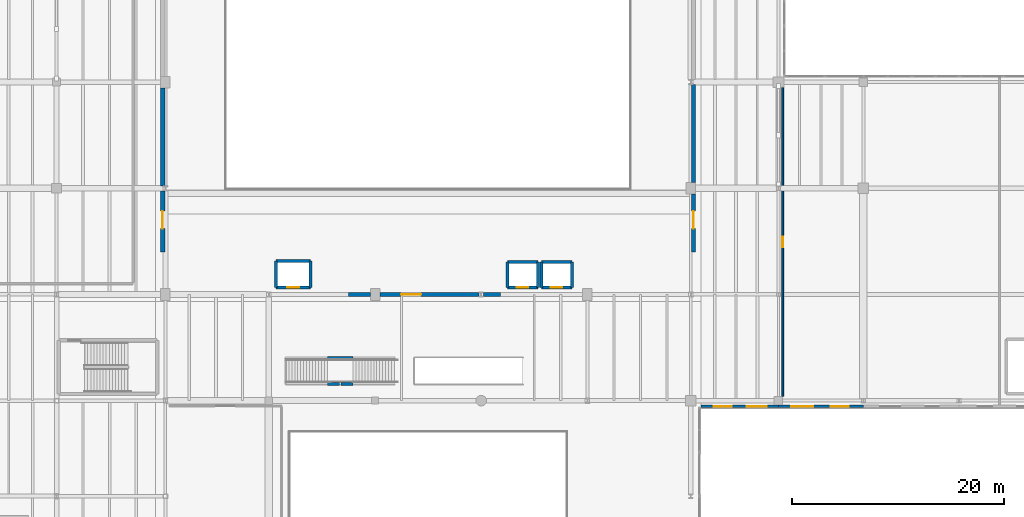
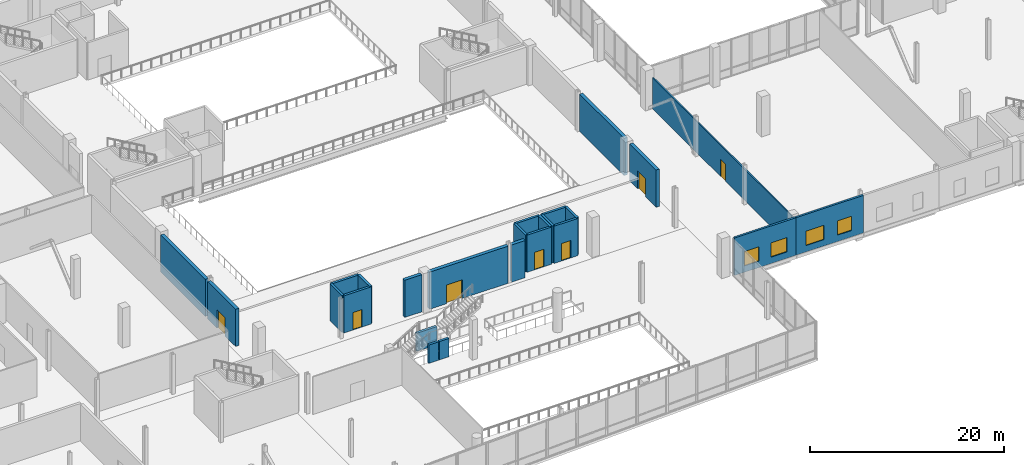
# One storey, part 55 of 73: 25 walls, 7 doors, 4 windows, 11 openings.
"""IFC4 building model written with IfcOpenShell, lengths in metres."""

from ifc_helpers import new_model, si_unit, direction, frame, frame_2d, origin, place, context, subcontext, project, spatial, rectangle, extrude, material, layer, layer_set, type_object, element, fill, save


model = new_model("IFC4")

# Units and contexts
model_context = context("Model", 3, precision=1e-05, world=origin(), true_north=direction((0.0, 1.0)))
body_context = subcontext(model_context, "Body", "Model", "MODEL_VIEW")
ifc_project = project(units=[si_unit("LENGTHUNIT", "METRE"), si_unit("AREAUNIT", "SQUARE_METRE"), si_unit("VOLUMEUNIT", "CUBIC_METRE"), si_unit("PLANEANGLEUNIT", "RADIAN"), si_unit("MASSUNIT", "GRAM", prefix="KILO")], contexts=[model_context])

# Site, building, storey
site_placement = place(None, origin())
site = spatial("IfcSite", under=ifc_project, at=site_placement, CompositionType="ELEMENT")
building_placement = place(site_placement, origin())
building = spatial("IfcBuilding", under=site, at=building_placement, Name="Trimount Lyric Opera House", CompositionType="ELEMENT")
storey_placement = place(building_placement, frame((0.0, 0.0, 10.0)))
storey = spatial("IfcBuildingStorey", under=building, at=storey_placement, Name="L02", CompositionType="ELEMENT", Elevation=10.0)

# Wall, opening, door
ifc_material_1 = material(Name="Fire-Rated Gypsum Board Partition")
ifc_layer_1 = layer(ifc_material_1, 0.14990234375)
ifc_layer_set_1 = layer_set([ifc_layer_1], Name="WL-PT150")
wall_type_1 = type_object("IfcWallType", Name="WL-PT150", PredefinedType="PARTITIONING", material=ifc_layer_set_1)
wall_1_placement = place(storey_placement, frame((122.39990234375, 73.5, 0.0), z_axis=(0.0, 0.0, 1.0), x_axis=(0.0, -1.0, 0.0)))
wall_1 = element("IfcWall", 1, at=wall_1_placement, inside=storey, type_object=wall_type_1, Name="L02 Costume Cutting & Draping Atelier W partition", PredefinedType="PARTITIONING", context=body_context, shape_type="SweptSolid", body=[
    extrude(rectangle(XDim=29.10009765625, YDim=0.14990234375, at=frame_2d((14.550048828125, 0.0))), origin(), (0.0, 0.0, 1.0), 3.919921875),
])
opening_1_placement = place(wall_1_placement, frame((14.050048828125, 0.0, 0.0)))
opening_1 = element("IfcOpeningElement", 2, at=opening_1_placement, cuts=wall_1, Name="Opening DT-RM1", PredefinedType="OPENING", context=body_context, shape_type="SweptSolid", body=[
    extrude(rectangle(XDim=1.0, YDim=2.14990234375, at=frame_2d((0.5, 1.074951171875))), frame((0.0, 0.0849609375, 0.0), z_axis=(0.0, -1.0, 0.0), x_axis=(1.0, 0.0, 0.0)), (0.0, 0.0, 1.0), 0.169921875),
])
ifc_material_2 = material(Name="Solid Core White Oak")
door_type_1 = type_object("IfcDoorType", Name="DT-RM1", OperationType="NOTDEFINED", PredefinedType="DOOR", material=ifc_material_2)
door_1_placement = place(opening_1_placement, origin())
door_1 = element("IfcDoor", 3, at=door_1_placement, inside=storey, type_object=door_type_1, Name="D-218", OperationType="SINGLE_SWING_RIGHT", OverallHeight=2.14990234375, OverallWidth=1.0, PredefinedType="DOOR", context=body_context, shape_type="SweptSolid", body=[
    extrude(rectangle(XDim=1.0, YDim=2.14990234375, at=frame_2d((0.5, 1.074951171875))), frame((0.0, 0.02490234375, 0.0), z_axis=(0.0, -1.0, 0.0), x_axis=(1.0, 0.0, 0.0)), (0.0, 0.0, 1.0), 0.050048828125),
])
fill(opening_1, door_1)

# Walls
ifc_material_3 = material(Name="Concrete C40/50", Category="concrete")
ifc_layer_2 = layer(ifc_material_3, 0.280029296875)
ifc_layer_set_2 = layer_set([ifc_layer_2], Name="WL-SH280")
wall_type_2 = type_object("IfcWallType", Name="WL-SH280", PredefinedType="SHEAR", material=ifc_layer_set_2)
for number, where, z_axis, x_axis, name in (
    (4, (79.52001953125, 45.56494140625, 0.0), (0.0, 0.0, 1.0), (1.0, 0.0, 0.0), "Concourse Roof-Garden Gallery Stair L02 landing fin pier SL"),
    (5, (80.780029296875, 45.56494140625, 0.0), (0.0, 0.0, 1.0), (1.0, 0.0, 0.0), "Concourse Roof-Garden Gallery Stair L02 landing fin pier SR"),
):
    element("IfcWall", number, at=place(storey_placement, frame(where, z_axis=z_axis, x_axis=x_axis)), inside=storey, type_object=wall_type_2, Name=name, PredefinedType="SHEAR", context=body_context, shape_type="SweptSolid", body=[
        extrude(rectangle(XDim=1.139892578125, YDim=0.280029296875, at=frame_2d((0.56982421875, 0.0))), origin(), (0.0, 0.0, 1.0), 2.300048828125),
    ])
wall_2_placement = place(storey_placement, frame((79.52001953125, 48.034912109375, 0.0), z_axis=(0.0, 0.0, 1.0), x_axis=(1.0, 0.0, 0.0)))
element("IfcWall", 6, at=wall_2_placement, inside=storey, type_object=wall_type_2, Name="Concourse Roof-Garden Gallery Stair L02 landing fin pier N", PredefinedType="SHEAR", context=body_context, shape_type="SweptSolid", body=[
    extrude(rectangle(XDim=2.39990234375, YDim=0.280029296875, at=frame_2d((1.199951171875, 0.0))), origin(), (0.0, 0.0, 1.0), 2.300048828125),
])

# Wall, opening, door
wall_3_placement = place(storey_placement, frame((74.659912109375, 54.659912109375, 0.0), z_axis=(0.0, 0.0, 1.0), x_axis=(1.0, 0.0, 0.0)))
wall_3 = element("IfcWall", 7, at=wall_3_placement, inside=storey, type_object=wall_type_2, Name="Lift LF-02 L02 south shaft wall", PredefinedType="SHEAR", context=body_context, shape_type="SweptSolid", body=[
    extrude(rectangle(XDim=3.280029296875, YDim=0.280029296875, at=frame_2d((1.64013671875, 0.0))), origin(), (0.0, 0.0, 1.0), 4.675048828125),
])
opening_2_placement = place(wall_3_placement, frame((1.090087890625, 0.0, 0.0)))
opening_2 = element("IfcOpeningElement", 8, at=opening_2_placement, cuts=wall_3, Name="Opening DT-LD1", PredefinedType="OPENING", context=body_context, shape_type="SweptSolid", body=[
    extrude(rectangle(XDim=1.10009765625, YDim=2.199951171875, at=frame_2d((0.550048828125, 1.10009765625))), frame((0.0, 0.14990234375, 0.0), z_axis=(0.0, -1.0, 0.0), x_axis=(1.0, 0.0, 0.0)), (0.0, 0.0, 1.0), 0.300048828125),
])
ifc_material_4 = material(Name="Brushed Stainless Steel", Category="steel")
door_type_2 = type_object("IfcDoorType", Name="DT-LD1", OperationType="SLIDING_TO_LEFT", PredefinedType="DOOR", material=ifc_material_4)
door_2_placement = place(opening_2_placement, origin())
door_2 = element("IfcDoor", 9, at=door_2_placement, inside=storey, type_object=door_type_2, Name="D-076", OperationType="SLIDING_TO_LEFT", OverallHeight=2.199951171875, OverallWidth=1.10009765625, PredefinedType="DOOR", context=body_context, shape_type="SweptSolid", body=[
    extrude(rectangle(XDim=1.10009765625, YDim=2.199951171875, at=frame_2d((0.550048828125, 1.10009765625))), frame((0.0, 0.02490234375, 0.0), z_axis=(0.0, -1.0, 0.0), x_axis=(1.0, 0.0, 0.0)), (0.0, 0.0, 1.0), 0.050048828125),
])
fill(opening_2, door_2)

# Walls
wall_4_placement = place(storey_placement, frame((77.93994140625, 57.139892578125, 0.0), z_axis=(0.0, 0.0, 1.0), x_axis=(-1.0, 0.0, 0.0)))
element("IfcWall", 10, at=wall_4_placement, inside=storey, type_object=wall_type_2, Name="Lift LF-02 L02 north shaft wall", PredefinedType="SHEAR", context=body_context, shape_type="SweptSolid", body=[
    extrude(rectangle(XDim=3.280029296875, YDim=0.280029296875, at=frame_2d((1.64013671875, 0.0))), origin(), (0.0, 0.0, 1.0), 4.675048828125),
])
for number, where, z_axis, x_axis, name in (
    (11, (74.659912109375, 57.139892578125, 0.0), (0.0, 0.0, 1.0), (0.0, -1.0, 0.0), "Lift LF-02 L02 west shaft wall"),
    (12, (77.93994140625, 54.659912109375, 0.0), (0.0, 0.0, 1.0), (0.0, 1.0, 0.0), "Lift LF-02 L02 east shaft wall"),
):
    element("IfcWall", number, at=place(storey_placement, frame(where, z_axis=z_axis, x_axis=x_axis)), inside=storey, type_object=wall_type_2, Name=name, PredefinedType="SHEAR", context=body_context, shape_type="SweptSolid", body=[
        extrude(rectangle(XDim=2.47998046875, YDim=0.280029296875, at=frame_2d((1.239990234375, 0.0))), origin(), (0.0, 0.0, 1.0), 4.675048828125),
    ])

# Wall, opening, door
wall_5_placement = place(storey_placement, frame((96.4599609375, 54.659912109375, 0.0), z_axis=(0.0, 0.0, 1.0), x_axis=(1.0, 0.0, 0.0)))
wall_5 = element("IfcWall", 13, at=wall_5_placement, inside=storey, type_object=wall_type_2, Name="Lift LF-03 L02 south shaft wall", PredefinedType="SHEAR", context=body_context, shape_type="SweptSolid", body=[
    extrude(rectangle(XDim=2.880126953125, YDim=0.280029296875, at=frame_2d((1.43994140625, 0.0))), origin(), (0.0, 0.0, 1.0), 4.675048828125),
])
opening_3_placement = place(wall_5_placement, frame((0.889892578125, 0.0, 0.0)))
opening_3 = element("IfcOpeningElement", 14, at=opening_3_placement, cuts=wall_5, Name="Opening DT-LD1", PredefinedType="OPENING", context=body_context, shape_type="SweptSolid", body=[
    extrude(rectangle(XDim=1.10009765625, YDim=2.199951171875, at=frame_2d((0.550048828125, 1.10009765625))), frame((0.0, 0.14990234375, 0.0), z_axis=(0.0, -1.0, 0.0), x_axis=(1.0, 0.0, 0.0)), (0.0, 0.0, 1.0), 0.300048828125),
])
door_3_placement = place(opening_3_placement, origin())
door_3 = element("IfcDoor", 15, at=door_3_placement, inside=storey, type_object=door_type_2, Name="D-082", OperationType="SLIDING_TO_LEFT", OverallHeight=2.199951171875, OverallWidth=1.10009765625, PredefinedType="DOOR", context=body_context, shape_type="SweptSolid", body=[
    extrude(rectangle(XDim=1.10009765625, YDim=2.199951171875, at=frame_2d((0.550048828125, 1.10009765625))), frame((0.0, 0.02490234375, 0.0), z_axis=(0.0, -1.0, 0.0), x_axis=(1.0, 0.0, 0.0)), (0.0, 0.0, 1.0), 0.050048828125),
])
fill(opening_3, door_3)

# Walls
wall_6_placement = place(storey_placement, frame((99.340087890625, 57.0400390625, 0.0), z_axis=(0.0, 0.0, 1.0), x_axis=(-1.0, 0.0, 0.0)))
element("IfcWall", 16, at=wall_6_placement, inside=storey, type_object=wall_type_2, Name="Lift LF-03 L02 north shaft wall", PredefinedType="SHEAR", context=body_context, shape_type="SweptSolid", body=[
    extrude(rectangle(XDim=2.880126953125, YDim=0.280029296875, at=frame_2d((1.43994140625, 0.0))), origin(), (0.0, 0.0, 1.0), 4.675048828125),
])
for number, where, z_axis, x_axis, name in (
    (17, (96.4599609375, 57.0400390625, 0.0), (0.0, 0.0, 1.0), (0.0, -1.0, 0.0), "Lift LF-03 L02 west shaft wall"),
    (18, (99.340087890625, 54.659912109375, 0.0), (0.0, 0.0, 1.0), (0.0, 1.0, 0.0), "Lift LF-03 L02 east shaft wall"),
):
    element("IfcWall", number, at=place(storey_placement, frame(where, z_axis=z_axis, x_axis=x_axis)), inside=storey, type_object=wall_type_2, Name=name, PredefinedType="SHEAR", context=body_context, shape_type="SweptSolid", body=[
        extrude(rectangle(XDim=2.380126953125, YDim=0.280029296875, at=frame_2d((1.18994140625, 0.0))), origin(), (0.0, 0.0, 1.0), 4.675048828125),
    ])

# Wall, opening, door
wall_7_placement = place(storey_placement, frame((99.659912109375, 54.659912109375, 0.0), z_axis=(0.0, 0.0, 1.0), x_axis=(1.0, 0.0, 0.0)))
wall_7 = element("IfcWall", 19, at=wall_7_placement, inside=storey, type_object=wall_type_2, Name="Lift LF-04 L02 south shaft wall", PredefinedType="SHEAR", context=body_context, shape_type="SweptSolid", body=[
    extrude(rectangle(XDim=2.880126953125, YDim=0.280029296875, at=frame_2d((1.43994140625, 0.0))), origin(), (0.0, 0.0, 1.0), 4.675048828125),
])
opening_4_placement = place(wall_7_placement, frame((0.889892578125, 0.0, 0.0)))
opening_4 = element("IfcOpeningElement", 20, at=opening_4_placement, cuts=wall_7, Name="Opening DT-LD1", PredefinedType="OPENING", context=body_context, shape_type="SweptSolid", body=[
    extrude(rectangle(XDim=1.10009765625, YDim=2.199951171875, at=frame_2d((0.550048828125, 1.10009765625))), frame((0.0, 0.14990234375, 0.0), z_axis=(0.0, -1.0, 0.0), x_axis=(1.0, 0.0, 0.0)), (0.0, 0.0, 1.0), 0.300048828125),
])
door_4_placement = place(opening_4_placement, origin())
door_4 = element("IfcDoor", 21, at=door_4_placement, inside=storey, type_object=door_type_2, Name="D-088", OperationType="SLIDING_TO_LEFT", OverallHeight=2.199951171875, OverallWidth=1.10009765625, PredefinedType="DOOR", context=body_context, shape_type="SweptSolid", body=[
    extrude(rectangle(XDim=1.10009765625, YDim=2.199951171875, at=frame_2d((0.550048828125, 1.10009765625))), frame((0.0, 0.02490234375, 0.0), z_axis=(0.0, -1.0, 0.0), x_axis=(1.0, 0.0, 0.0)), (0.0, 0.0, 1.0), 0.050048828125),
])
fill(opening_4, door_4)

# Walls
wall_8_placement = place(storey_placement, frame((102.5400390625, 57.0400390625, 0.0), z_axis=(0.0, 0.0, 1.0), x_axis=(-1.0, 0.0, 0.0)))
element("IfcWall", 22, at=wall_8_placement, inside=storey, type_object=wall_type_2, Name="Lift LF-04 L02 north shaft wall", PredefinedType="SHEAR", context=body_context, shape_type="SweptSolid", body=[
    extrude(rectangle(XDim=2.880126953125, YDim=0.280029296875, at=frame_2d((1.43994140625, 0.0))), origin(), (0.0, 0.0, 1.0), 4.675048828125),
])
for number, where, z_axis, x_axis, name in (
    (23, (99.659912109375, 57.0400390625, 0.0), (0.0, 0.0, 1.0), (0.0, -1.0, 0.0), "Lift LF-04 L02 west shaft wall"),
    (24, (102.5400390625, 54.659912109375, 0.0), (0.0, 0.0, 1.0), (0.0, 1.0, 0.0), "Lift LF-04 L02 east shaft wall"),
):
    element("IfcWall", number, at=place(storey_placement, frame(where, z_axis=z_axis, x_axis=x_axis)), inside=storey, type_object=wall_type_2, Name=name, PredefinedType="SHEAR", context=body_context, shape_type="SweptSolid", body=[
        extrude(rectangle(XDim=2.380126953125, YDim=0.280029296875, at=frame_2d((1.18994140625, 0.0))), origin(), (0.0, 0.0, 1.0), 4.675048828125),
    ])

# Wall, opening, door
ifc_material_5 = material(Name="Concrete C40/50", Category="concrete")
ifc_layer_3 = layer(ifc_material_5, 0.39990234375)
ifc_layer_set_3 = layer_set([ifc_layer_3], Name="WL-SH400")
wall_type_3 = type_object("IfcWallType", Name="WL-SH400", PredefinedType="SHEAR", material=ifc_layer_set_3)
wall_9_placement = place(storey_placement, frame((64.0, 58.0, 0.0), z_axis=(0.0, 0.0, 1.0), x_axis=(0.0, 1.0, 0.0)))
wall_9 = element("IfcWall", 25, at=wall_9_placement, inside=storey, type_object=wall_type_3, Name="L02 auditorium west acoustic shear wall", PredefinedType="SHEAR", context=body_context, shape_type="SweptSolid", body=[
    extrude(rectangle(XDim=5.767578125, YDim=0.39990234375, at=frame_2d((2.8837890625, 0.0))), origin(), (0.0, 0.0, 1.0), 4.675048828125),
])
opening_5_placement = place(wall_9_placement, frame((2.199951171875, 0.0, 0.0)))
opening_5 = element("IfcOpeningElement", 26, at=opening_5_placement, cuts=wall_9, Name="Opening DT-AUD2", PredefinedType="OPENING", context=body_context, shape_type="SweptSolid", body=[
    extrude(rectangle(XDim=1.64990234375, YDim=2.300048828125, at=frame_2d((0.824951171875, 1.14990234375))), frame((0.0, 0.2099609375, 0.0), z_axis=(0.0, -1.0, 0.0), x_axis=(1.0, 0.0, 0.0)), (0.0, 0.0, 1.0), 0.419921875),
])
ifc_material_6 = material(Name="Solid White Oak Acoustic")
door_type_3 = type_object("IfcDoorType", Name="DT-AUD2", OperationType="DOUBLE_DOOR_SINGLE_SWING", PredefinedType="DOOR", material=ifc_material_6)
door_5_placement = place(opening_5_placement, origin())
door_5 = element("IfcDoor", 27, at=door_5_placement, inside=storey, type_object=door_type_3, Name="D-126", OperationType="DOUBLE_DOOR_SINGLE_SWING", OverallHeight=2.300048828125, OverallWidth=1.64990234375, PredefinedType="DOOR", context=body_context, shape_type="SweptSolid", body=[
    extrude(rectangle(XDim=1.64990234375, YDim=2.300048828125, at=frame_2d((0.824951171875, 1.14990234375))), frame((0.0, 0.02490234375, 0.0), z_axis=(0.0, -1.0, 0.0), x_axis=(1.0, 0.0, 0.0)), (0.0, 0.0, 1.0), 0.050048828125),
])
fill(opening_5, door_5)

# Wall
wall_10_placement = place(storey_placement, frame((64.0, 64.232421875, 0.0), z_axis=(0.0, 0.0, 1.0), x_axis=(0.0, 1.0, 0.0)))
element("IfcWall", 28, at=wall_10_placement, inside=storey, type_object=wall_type_3, Name="L02 auditorium west acoustic shear wall", PredefinedType="SHEAR", context=body_context, shape_type="SweptSolid", body=[
    extrude(rectangle(XDim=9.217529296875, YDim=0.39990234375, at=frame_2d((4.60888671875, 0.0))), origin(), (0.0, 0.0, 1.0), 4.675048828125),
])

# Wall, opening, door
wall_11_placement = place(storey_placement, frame((114.0, 58.0, 0.0), z_axis=(0.0, 0.0, 1.0), x_axis=(0.0, 1.0, 0.0)))
wall_11 = element("IfcWall", 29, at=wall_11_placement, inside=storey, type_object=wall_type_3, Name="L02 auditorium east acoustic shear wall", PredefinedType="SHEAR", context=body_context, shape_type="SweptSolid", body=[
    extrude(rectangle(XDim=5.449951171875, YDim=0.39990234375, at=frame_2d((2.72509765625, 0.0))), origin(), (0.0, 0.0, 1.0), 4.675048828125),
])
opening_6_placement = place(wall_11_placement, frame((2.199951171875, 0.0, 0.0)))
opening_6 = element("IfcOpeningElement", 30, at=opening_6_placement, cuts=wall_11, Name="Opening DT-AUD2", PredefinedType="OPENING", context=body_context, shape_type="SweptSolid", body=[
    extrude(rectangle(XDim=1.64990234375, YDim=2.300048828125, at=frame_2d((0.824951171875, 1.14990234375))), frame((0.0, 0.2099609375, 0.0), z_axis=(0.0, -1.0, 0.0), x_axis=(1.0, 0.0, 0.0)), (0.0, 0.0, 1.0), 0.419921875),
])
door_6_placement = place(opening_6_placement, origin())
door_6 = element("IfcDoor", 31, at=door_6_placement, inside=storey, type_object=door_type_3, Name="D-127", OperationType="DOUBLE_DOOR_SINGLE_SWING", OverallHeight=2.300048828125, OverallWidth=1.64990234375, PredefinedType="DOOR", context=body_context, shape_type="SweptSolid", body=[
    extrude(rectangle(XDim=1.64990234375, YDim=2.300048828125, at=frame_2d((0.824951171875, 1.14990234375))), frame((0.0, 0.02490234375, 0.0), z_axis=(0.0, -1.0, 0.0), x_axis=(1.0, 0.0, 0.0)), (0.0, 0.0, 1.0), 0.050048828125),
])
fill(opening_6, door_6)

# Walls
wall_12_placement = place(storey_placement, frame((114.0, 64.550048828125, 0.0), z_axis=(0.0, 0.0, 1.0), x_axis=(0.0, 1.0, 0.0)))
element("IfcWall", 32, at=wall_12_placement, inside=storey, type_object=wall_type_3, Name="L02 auditorium east acoustic shear wall", PredefinedType="SHEAR", context=body_context, shape_type="SweptSolid", body=[
    extrude(rectangle(XDim=9.217529296875, YDim=0.39990234375, at=frame_2d((4.60888671875, 0.0))), origin(), (0.0, 0.0, 1.0), 4.675048828125),
])
wall_13_placement = place(storey_placement, frame((81.5, 54.0, 0.0), z_axis=(0.0, 0.0, 1.0), x_axis=(1.0, 0.0, 0.0)))
element("IfcWall", 33, at=wall_13_placement, inside=storey, type_object=wall_type_3, Name="L02 auditorium south acoustic lobby wall", PredefinedType="SHEAR", context=body_context, shape_type="SweptSolid", body=[
    extrude(rectangle(XDim=2.050048828125, YDim=0.39990234375, at=frame_2d((1.02490234375, 0.0))), origin(), (0.0, 0.0, 1.0), 4.675048828125),
])

# Wall, opening, door
wall_14_placement = place(storey_placement, frame((84.449951171875, 54.0, 0.0), z_axis=(0.0, 0.0, 1.0), x_axis=(1.0, 0.0, 0.0)))
wall_14 = element("IfcWall", 34, at=wall_14_placement, inside=storey, type_object=wall_type_3, Name="L02 auditorium south acoustic lobby wall", PredefinedType="SHEAR", context=body_context, shape_type="SweptSolid", body=[
    extrude(rectangle(XDim=9.339111328125, YDim=0.39990234375, at=frame_2d((4.66943359375, 0.0))), origin(), (0.0, 0.0, 1.0), 4.675048828125),
])
opening_7_placement = place(wall_14_placement, frame((2.0, 0.0, 0.0)))
opening_7 = element("IfcOpeningElement", 35, at=opening_7_placement, cuts=wall_14, Name="Opening DT-AUD1", PredefinedType="OPENING", context=body_context, shape_type="SweptSolid", body=[
    extrude(rectangle(XDim=1.89990234375, YDim=2.35009765625, at=frame_2d((0.949951171875, 1.175048828125))), frame((0.0, 0.2099609375, 0.0), z_axis=(0.0, -1.0, 0.0), x_axis=(1.0, 0.0, 0.0)), (0.0, 0.0, 1.0), 0.419921875),
])
ifc_material_7 = material(Name="Solid White Oak Acoustic")
door_type_4 = type_object("IfcDoorType", Name="DT-AUD1", OperationType="DOUBLE_DOOR_SINGLE_SWING", PredefinedType="DOOR", material=ifc_material_7)
door_7_placement = place(opening_7_placement, origin())
door_7 = element("IfcDoor", 36, at=door_7_placement, inside=storey, type_object=door_type_4, Name="D-125", OperationType="DOUBLE_DOOR_SINGLE_SWING", OverallHeight=2.35009765625, OverallWidth=1.89990234375, PredefinedType="DOOR", context=body_context, shape_type="SweptSolid", body=[
    extrude(rectangle(XDim=1.89990234375, YDim=2.35009765625, at=frame_2d((0.949951171875, 1.175048828125))), frame((0.0, 0.02490234375, 0.0), z_axis=(0.0, -1.0, 0.0), x_axis=(1.0, 0.0, 0.0)), (0.0, 0.0, 1.0), 0.050048828125),
])
fill(opening_7, door_7)

# Wall
wall_15_placement = place(storey_placement, frame((94.2109375, 54.0, 0.0), z_axis=(0.0, 0.0, 1.0), x_axis=(1.0, 0.0, 0.0)))
element("IfcWall", 37, at=wall_15_placement, inside=storey, type_object=wall_type_3, Name="L02 auditorium south acoustic lobby wall", PredefinedType="SHEAR", context=body_context, shape_type="SweptSolid", body=[
    extrude(rectangle(XDim=1.589111328125, YDim=0.39990234375, at=frame_2d((0.79443359375, 0.0))), origin(), (0.0, 0.0, 1.0), 4.675048828125),
])

# Wall, openings, windows
ifc_material_8 = material(Name="Concrete C35/45", Category="concrete")
ifc_layer_4 = layer(ifc_material_8, 0.239990234375)
ifc_layer_set_4 = layer_set([ifc_layer_4], Name="WL-SW240")
wall_type_4 = type_object("IfcWallType", Name="WL-SW240", PredefinedType="SOLIDWALL", material=ifc_layer_set_4)
wall_16_placement = place(storey_placement, frame((130.0, 43.4599609375, 0.0), z_axis=(0.0, 0.0, 1.0), x_axis=(-1.0, 0.0, 0.0)))
wall_16 = element("IfcWall", 38, at=wall_16_placement, inside=storey, type_object=wall_type_4, Name="L02 exterior facade wall 234", PredefinedType="SOLIDWALL", context=body_context, shape_type="SweptSolid", body=[
    extrude(rectangle(XDim=8.0, YDim=0.239990234375, at=frame_2d((4.0, 0.0))), origin(), (0.0, 0.0, 1.0), 4.719970703125),
])
opening_8_placement = place(wall_16_placement, frame((1.389892578125, 0.0, 0.800048828125)))
opening_8 = element("IfcOpeningElement", 39, at=opening_8_placement, cuts=wall_16, Name="Opening WT-19", PredefinedType="OPENING", context=body_context, shape_type="SweptSolid", body=[
    extrude(rectangle(XDim=1.699951171875, YDim=1.800048828125, at=frame_2d((0.85009765625, 0.89990234375))), frame((0.0, 0.1298828125, 0.0), z_axis=(0.0, -1.0, 0.0), x_axis=(1.0, 0.0, 0.0)), (0.0, 0.0, 1.0), 0.260009765625),
])
opening_9_placement = place(wall_16_placement, frame((4.7099609375, 0.0, 0.800048828125)))
opening_9 = element("IfcOpeningElement", 40, at=opening_9_placement, cuts=wall_16, Name="Opening WT-17", PredefinedType="OPENING", context=body_context, shape_type="SweptSolid", body=[
    extrude(rectangle(XDim=2.10009765625, YDim=1.800048828125, at=frame_2d((1.050048828125, 0.89990234375))), frame((0.0, 0.1298828125, 0.0), z_axis=(0.0, -1.0, 0.0), x_axis=(1.0, 0.0, 0.0)), (0.0, 0.0, 1.0), 0.260009765625),
])
ifc_material_9 = material(Name="Dressing Suite Acoustic Window")
window_type_1 = type_object("IfcWindowType", Name="WT-17", PartitioningType="DOUBLE_PANEL_VERTICAL", PredefinedType="WINDOW", material=ifc_material_9)
window_1_placement = place(opening_9_placement, origin())
window_1 = element("IfcWindow", 41, at=window_1_placement, inside=storey, type_object=window_type_1, Name="Window WT-17-0199", OverallHeight=1.800048828125, OverallWidth=2.10009765625, PartitioningType="SINGLE_PANEL", PredefinedType="WINDOW", context=body_context, shape_type="SweptSolid", body=[
    extrude(rectangle(XDim=2.10009765625, YDim=1.800048828125, at=frame_2d((1.050048828125, 0.89990234375))), frame((0.0, 0.030029296875, 0.0), z_axis=(0.0, -1.0, 0.0), x_axis=(1.0, 0.0, 0.0)), (0.0, 0.0, 1.0), 0.06005859375),
])
fill(opening_9, window_1)
ifc_material_10 = material(Name="Dressing Suite Acoustic Window")
window_type_2 = type_object("IfcWindowType", Name="WT-19", PartitioningType="SINGLE_PANEL", PredefinedType="WINDOW", material=ifc_material_10)
window_2_placement = place(opening_8_placement, origin())
window_2 = element("IfcWindow", 42, at=window_2_placement, inside=storey, type_object=window_type_2, Name="Window WT-19-0198", OverallHeight=1.800048828125, OverallWidth=1.699951171875, PartitioningType="SINGLE_PANEL", PredefinedType="WINDOW", context=body_context, shape_type="SweptSolid", body=[
    extrude(rectangle(XDim=1.699951171875, YDim=1.800048828125, at=frame_2d((0.85009765625, 0.89990234375))), frame((0.0, 0.030029296875, 0.0), z_axis=(0.0, -1.0, 0.0), x_axis=(1.0, 0.0, 0.0)), (0.0, 0.0, 1.0), 0.06005859375),
])
fill(opening_8, window_2)

wall_17_placement = place(storey_placement, frame((122.0, 43.4599609375, 0.0), z_axis=(0.0, 0.0, 1.0), x_axis=(-1.0, 0.0, 0.0)))
wall_17 = element("IfcWall", 43, at=wall_17_placement, inside=storey, type_object=wall_type_4, Name="L02 exterior facade wall 235", PredefinedType="SOLIDWALL", context=body_context, shape_type="SweptSolid", body=[
    extrude(rectangle(XDim=7.320068359375, YDim=0.239990234375, at=frame_2d((3.66015625, 0.0))), origin(), (0.0, 0.0, 1.0), 4.719970703125),
])
opening_10_placement = place(wall_17_placement, frame((1.099609375, 0.0, 0.800048828125)))
opening_10 = element("IfcOpeningElement", 44, at=opening_10_placement, cuts=wall_17, Name="Opening WT-18", PredefinedType="OPENING", context=body_context, shape_type="SweptSolid", body=[
    extrude(rectangle(XDim=1.89990234375, YDim=1.800048828125, at=frame_2d((0.949951171875, 0.89990234375))), frame((0.0, 0.1298828125, 0.0), z_axis=(0.0, -1.0, 0.0), x_axis=(1.0, 0.0, 0.0)), (0.0, 0.0, 1.0), 0.260009765625),
])
opening_11_placement = place(wall_17_placement, frame((4.42041015625, 0.0, 0.800048828125)))
opening_11 = element("IfcOpeningElement", 45, at=opening_11_placement, cuts=wall_17, Name="Opening WT-19", PredefinedType="OPENING", context=body_context, shape_type="SweptSolid", body=[
    extrude(rectangle(XDim=1.699951171875, YDim=1.800048828125, at=frame_2d((0.85009765625, 0.89990234375))), frame((0.0, 0.1298828125, 0.0), z_axis=(0.0, -1.0, 0.0), x_axis=(1.0, 0.0, 0.0)), (0.0, 0.0, 1.0), 0.260009765625),
])
ifc_material_11 = material(Name="Dressing Suite Acoustic Window")
window_type_3 = type_object("IfcWindowType", Name="WT-18", PartitioningType="DOUBLE_PANEL_VERTICAL", PredefinedType="WINDOW", material=ifc_material_11)
window_3_placement = place(opening_10_placement, origin())
window_3 = element("IfcWindow", 46, at=window_3_placement, inside=storey, type_object=window_type_3, Name="Window WT-18-0200", OverallHeight=1.800048828125, OverallWidth=1.89990234375, PartitioningType="SINGLE_PANEL", PredefinedType="WINDOW", context=body_context, shape_type="SweptSolid", body=[
    extrude(rectangle(XDim=1.89990234375, YDim=1.800048828125, at=frame_2d((0.949951171875, 0.89990234375))), frame((0.0, 0.030029296875, 0.0), z_axis=(0.0, -1.0, 0.0), x_axis=(1.0, 0.0, 0.0)), (0.0, 0.0, 1.0), 0.06005859375),
])
fill(opening_10, window_3)
window_4_placement = place(opening_11_placement, origin())
window_4 = element("IfcWindow", 47, at=window_4_placement, inside=storey, type_object=window_type_2, Name="Window WT-19-0201", OverallHeight=1.800048828125, OverallWidth=1.699951171875, PartitioningType="SINGLE_PANEL", PredefinedType="WINDOW", context=body_context, shape_type="SweptSolid", body=[
    extrude(rectangle(XDim=1.699951171875, YDim=1.800048828125, at=frame_2d((0.85009765625, 0.89990234375))), frame((0.0, 0.030029296875, 0.0), z_axis=(0.0, -1.0, 0.0), x_axis=(1.0, 0.0, 0.0)), (0.0, 0.0, 1.0), 0.06005859375),
])
fill(opening_11, window_4)

save(model, "model.ifc")
